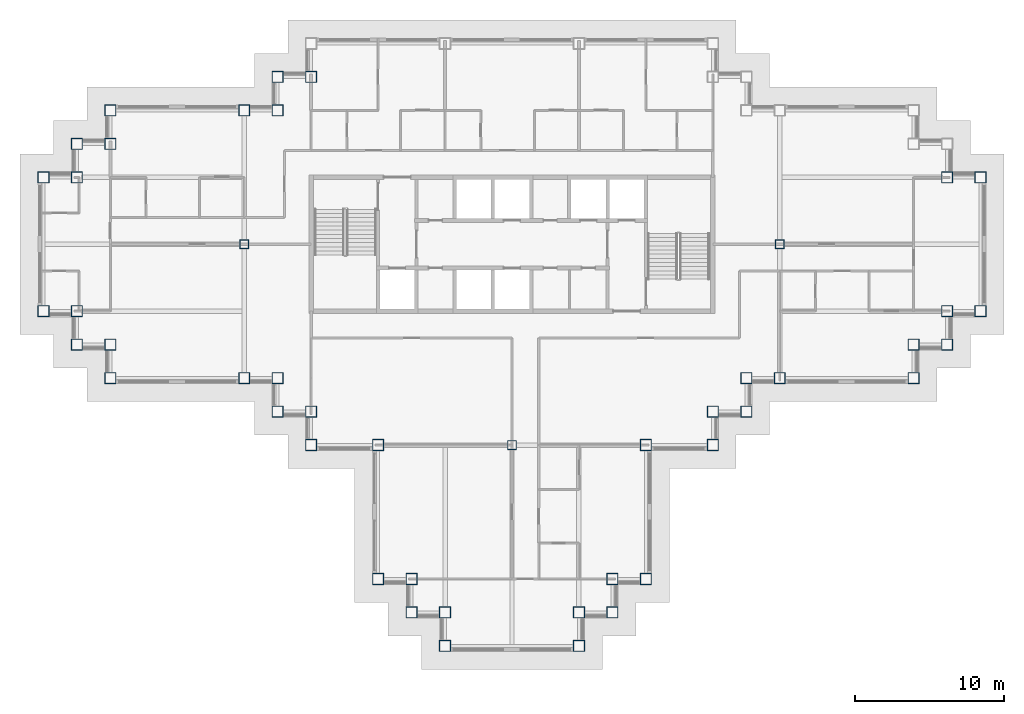
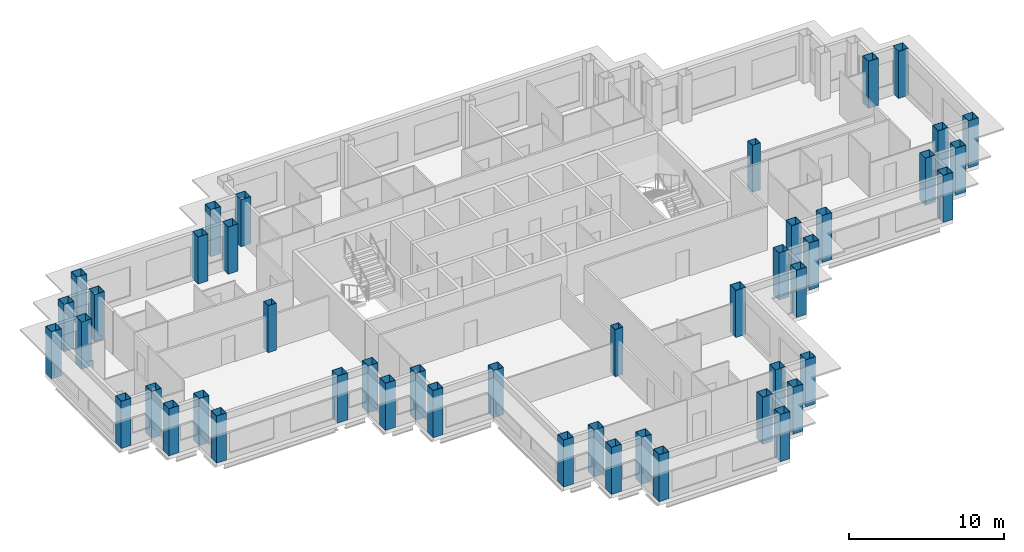
# One storey, part 1 of 13: 46 columns.
"""IFC4 building model written with IfcOpenShell, lengths in metres."""

from ifc_helpers import new_model, si_unit, direction, frame, origin, origin_2d, place, context, subcontext, project, spatial, hollow_rectangle, extrude, material, material_profile, profile_set, type_object, element, save


model = new_model("IFC4")

# Units and contexts
model_context = context("Model", 3, precision=1e-05, world=origin(), true_north=direction((0.0, 1.0)))
body_context = subcontext(model_context, "Body", "Model", "MODEL_VIEW")
ifc_project = project(units=[si_unit("LENGTHUNIT", "METRE"), si_unit("AREAUNIT", "SQUARE_METRE"), si_unit("VOLUMEUNIT", "CUBIC_METRE"), si_unit("PLANEANGLEUNIT", "RADIAN"), si_unit("MASSUNIT", "GRAM", prefix="KILO")], contexts=[model_context])

# Site, building, storey
site_placement = place(None, origin())
site = spatial("IfcSite", under=ifc_project, at=site_placement, CompositionType="ELEMENT")
building_placement = place(site_placement, origin())
building = spatial("IfcBuilding", under=site, at=building_placement, Name="Caravel Reach Hotel and Residences", CompositionType="ELEMENT")
storey_placement = place(building_placement, frame((0.0, 0.0, 180.199951171875)))
storey = spatial("IfcBuildingStorey", under=building, at=storey_placement, Name="L45", CompositionType="ELEMENT", Elevation=180.199951171875)

# Columns
ifc_material_1 = material(Name="Concrete-filled steel tube Q390B with Concrete C60 infill", Category="concrete")
ifc_material_profile_1 = material_profile(ifc_material_1, hollow_rectangle(XDim=0.60009765625, YDim=0.60009765625, WallThickness=0.02001953125, at=origin_2d()), Name="RHS 600x600x20")
ifc_profile_set_1 = profile_set([ifc_material_profile_1], Name="Concrete-filled steel tube Q390B with Concrete C60 infill")
column_type_1 = type_object("IfcColumnType", Name="CFT 600x600 Q390B C60", PredefinedType="COLUMN", material=ifc_profile_set_1)
for number, where, z_axis, x_axis, name in (
    (1, (31.5, 13.5, 0.0), (0.0, 0.0, 1.0), (1.0, 0.0, 0.0), "C8 column"),
    (2, (13.5, 27.0, 0.0), (0.0, 0.0, 1.0), (1.0, 0.0, 0.0), "C8 column"),
    (3, (49.5, 27.0, 0.0), (0.0, 0.0, 1.0), (1.0, 0.0, 0.0), "C8 column"),
):
    element("IfcColumn", number, at=place(storey_placement, frame(where, z_axis=z_axis, x_axis=x_axis)), inside=storey, type_object=column_type_1, Name=name, PredefinedType="COLUMN", context=body_context, shape_type="SweptSolid", body=[
        extrude(hollow_rectangle(XDim=0.60009765625, YDim=0.60009765625, WallThickness=0.02001953125, at=origin_2d()), origin(), (0.0, 0.0, 1.0), 3.699951171875),
    ])
ifc_material_2 = material(Name="Concrete-filled steel tube Q390B with Concrete C60 infill", Category="concrete")
ifc_material_profile_2 = material_profile(ifc_material_2, hollow_rectangle(XDim=0.75, YDim=0.75, WallThickness=0.02392578125, at=origin_2d()), Name="RHS 750x750x24")
ifc_profile_set_2 = profile_set([ifc_material_profile_2], Name="Concrete-filled steel tube Q390B with Concrete C60 infill")
column_type_2 = type_object("IfcColumnType", Name="CFT 750x750 Q390B C60", PredefinedType="COLUMN", material=ifc_profile_set_2)
for number, where, z_axis, x_axis, name in (
    (4, (22.5, 4.5, 0.0), (0.0, 0.0, 1.0), (1.0, 0.0, 0.0), "C14 column"),
    (5, (24.75, 4.5, 0.0), (0.0, 0.0, 1.0), (1.0, 0.0, 0.0), "C14 column"),
    (6, (24.75, 2.25, 0.0), (0.0, 0.0, 1.0), (1.0, 0.0, 0.0), "C14 column"),
    (7, (27.0, 2.25, 0.0), (0.0, 0.0, 1.0), (1.0, 0.0, 0.0), "C14 column"),
    (8, (27.0, 0.0, 0.0), (0.0, 0.0, 1.0), (1.0, 0.0, 0.0), "C14 column"),
    (9, (36.0, 0.0, 0.0), (0.0, 0.0, 1.0), (1.0, 0.0, 0.0), "C14 column"),
    (10, (36.0, 2.25, 0.0), (0.0, 0.0, 1.0), (1.0, 0.0, 0.0), "C14 column"),
    (11, (38.25, 2.25, 0.0), (0.0, 0.0, 1.0), (1.0, 0.0, 0.0), "C14 column"),
    (12, (38.25, 4.5, 0.0), (0.0, 0.0, 1.0), (1.0, 0.0, 0.0), "C14 column"),
    (13, (40.5, 4.5, 0.0), (0.0, 0.0, 1.0), (1.0, 0.0, 0.0), "C14 column"),
    (14, (40.5, 13.5, 0.0), (0.0, 0.0, 1.0), (1.0, 0.0, 0.0), "C14 column"),
    (15, (45.0, 13.5, 0.0), (0.0, 0.0, 1.0), (1.0, 0.0, 0.0), "C14 column"),
    (16, (45.0, 15.75, 0.0), (0.0, 0.0, 1.0), (1.0, 0.0, 0.0), "C14 column"),
    (17, (47.25, 15.75, 0.0), (0.0, 0.0, 1.0), (1.0, 0.0, 0.0), "C14 column"),
    (18, (47.25, 18.0, 0.0), (0.0, 0.0, 1.0), (1.0, 0.0, 0.0), "C14 column"),
    (19, (49.5, 18.0, 0.0), (0.0, 0.0, 1.0), (1.0, 0.0, 0.0), "C14 column"),
    (20, (58.5, 18.0, 0.0), (0.0, 0.0, 1.0), (1.0, 0.0, 0.0), "C14 column"),
    (21, (58.5, 20.25, 0.0), (0.0, 0.0, 1.0), (1.0, 0.0, 0.0), "C14 column"),
    (22, (60.75, 20.25, 0.0), (0.0, 0.0, 1.0), (1.0, 0.0, 0.0), "C14 column"),
    (23, (60.75, 22.5, 0.0), (0.0, 0.0, 1.0), (1.0, 0.0, 0.0), "C14 column"),
    (24, (63.0, 22.5, 0.0), (0.0, 0.0, 1.0), (1.0, 0.0, 0.0), "C14 column"),
    (25, (63.0, 31.5, 0.0), (0.0, 0.0, 1.0), (1.0, 0.0, 0.0), "C14 column"),
    (26, (60.75, 31.5, 0.0), (0.0, 0.0, 1.0), (1.0, 0.0, 0.0), "C14 column"),
    (27, (18.0, 38.25, 0.0), (0.0, 0.0, 1.0), (1.0, 0.0, 0.0), "C14 column"),
    (28, (15.75, 38.25, 0.0), (0.0, 0.0, 1.0), (1.0, 0.0, 0.0), "C14 column"),
    (29, (15.75, 36.0, 0.0), (0.0, 0.0, 1.0), (1.0, 0.0, 0.0), "C14 column"),
    (30, (13.5, 36.0, 0.0), (0.0, 0.0, 1.0), (1.0, 0.0, 0.0), "C14 column"),
    (31, (4.5, 36.0, 0.0), (0.0, 0.0, 1.0), (1.0, 0.0, 0.0), "C14 column"),
    (32, (4.5, 33.75, 0.0), (0.0, 0.0, 1.0), (1.0, 0.0, 0.0), "C14 column"),
    (33, (2.25, 33.75, 0.0), (0.0, 0.0, 1.0), (1.0, 0.0, 0.0), "C14 column"),
    (34, (2.25, 31.5, 0.0), (0.0, 0.0, 1.0), (1.0, 0.0, 0.0), "C14 column"),
    (35, (0.0, 31.5, 0.0), (0.0, 0.0, 1.0), (1.0, 0.0, 0.0), "C14 column"),
    (36, (0.0, 22.5, 0.0), (0.0, 0.0, 1.0), (1.0, 0.0, 0.0), "C14 column"),
    (37, (2.25, 22.5, 0.0), (0.0, 0.0, 1.0), (1.0, 0.0, 0.0), "C14 column"),
    (38, (2.25, 20.25, 0.0), (0.0, 0.0, 1.0), (1.0, 0.0, 0.0), "C14 column"),
    (39, (4.5, 20.25, 0.0), (0.0, 0.0, 1.0), (1.0, 0.0, 0.0), "C14 column"),
    (40, (4.5, 18.0, 0.0), (0.0, 0.0, 1.0), (1.0, 0.0, 0.0), "C14 column"),
    (41, (13.5, 18.0, 0.0), (0.0, 0.0, 1.0), (1.0, 0.0, 0.0), "C14 column"),
    (42, (15.75, 18.0, 0.0), (0.0, 0.0, 1.0), (1.0, 0.0, 0.0), "C14 column"),
    (43, (15.75, 15.75, 0.0), (0.0, 0.0, 1.0), (1.0, 0.0, 0.0), "C14 column"),
    (44, (18.0, 15.75, 0.0), (0.0, 0.0, 1.0), (1.0, 0.0, 0.0), "C14 column"),
    (45, (18.0, 13.5, 0.0), (0.0, 0.0, 1.0), (1.0, 0.0, 0.0), "C14 column"),
    (46, (22.5, 13.5, 0.0), (0.0, 0.0, 1.0), (1.0, 0.0, 0.0), "C14 column"),
):
    element("IfcColumn", number, at=place(storey_placement, frame(where, z_axis=z_axis, x_axis=x_axis)), inside=storey, type_object=column_type_2, Name=name, PredefinedType="COLUMN", context=body_context, shape_type="SweptSolid", body=[
        extrude(hollow_rectangle(XDim=0.75, YDim=0.75, WallThickness=0.02392578125, at=origin_2d()), origin(), (0.0, 0.0, 1.0), 3.699951171875),
    ])

save(model, "model.ifc")
